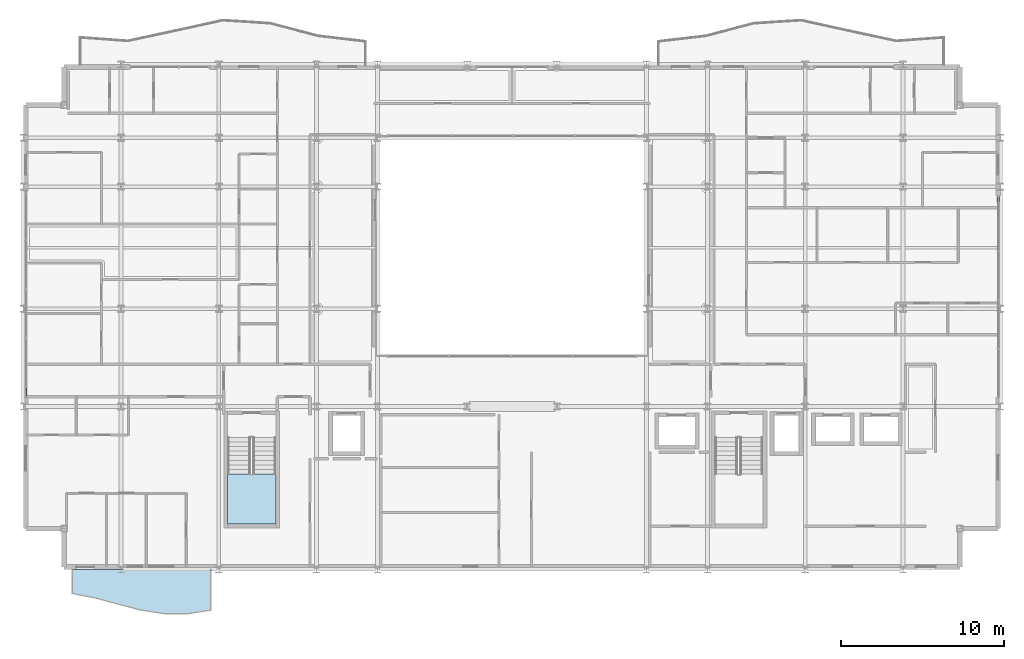
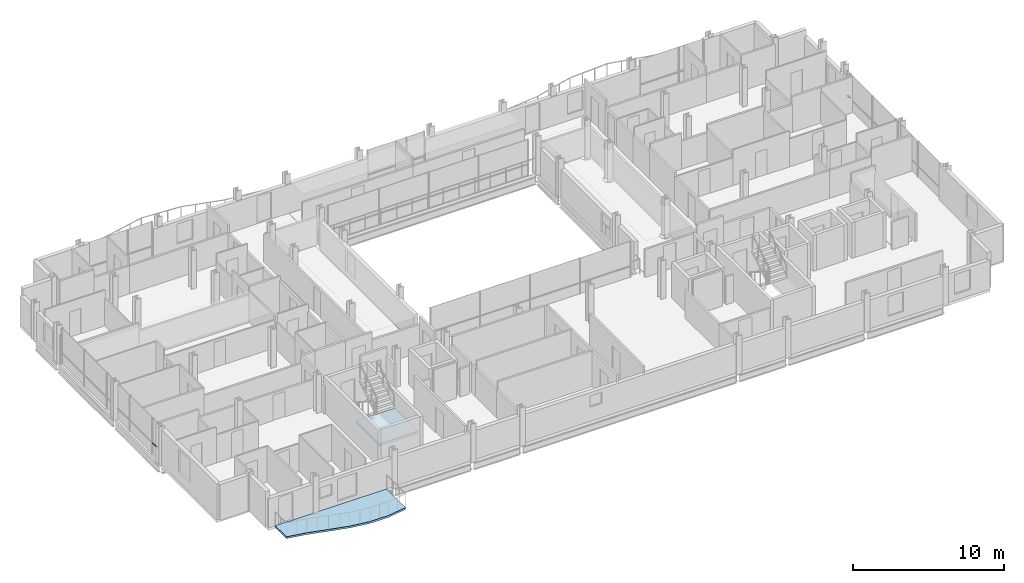
# One storey, part 27 of 41: 2 members, 2 slabs, 3 elements without a shape of their own.
"""IFC4 building model written with IfcOpenShell, lengths in metres."""

from ifc_helpers import new_model, si_unit, direction, frame, origin, origin_2d, place, context, subcontext, project, spatial, polyline, hollow_rectangle, outline, extrude, material, layer, layer_set, material_profile, profile_set, type_object, element, aggregate, save


model = new_model("IFC4")

# Units and contexts
model_context = context("Model", 3, precision=1e-05, world=origin(), true_north=direction((0.0, 1.0)))
body_context = subcontext(model_context, "Body", "Model", "MODEL_VIEW")
ifc_project = project(units=[si_unit("LENGTHUNIT", "METRE"), si_unit("AREAUNIT", "SQUARE_METRE"), si_unit("VOLUMEUNIT", "CUBIC_METRE"), si_unit("PLANEANGLEUNIT", "RADIAN"), si_unit("MASSUNIT", "GRAM", prefix="KILO")], contexts=[model_context])

# Site, building, storey
site_placement = place(None, origin())
site = spatial("IfcSite", under=ifc_project, at=site_placement, CompositionType="ELEMENT")
building_placement = place(site_placement, origin())
building = spatial("IfcBuilding", under=site, at=building_placement, Name="Brevholm Reach", CompositionType="ELEMENT")
storey_placement = place(building_placement, frame((0.0, 0.0, 163.5)))
storey = spatial("IfcBuildingStorey", under=building, at=storey_placement, Name="L49", CompositionType="ELEMENT", Elevation=163.5)

# Curtain wall, member
ifc_material_1 = material(Name="Dark Anodised Aluminium 6063-T6 and Solar-Control Glass", Category="aluminium")
ifc_layer_1 = layer(ifc_material_1, 0.14990234375)
ifc_layer_set_1 = layer_set([ifc_layer_1], Name="Dark Anodised Aluminium 6063-T6 and Solar-Control Glass")
curtain_wall_type = type_object("IfcCurtainWallType", Name="CW-01", PredefinedType="NOTDEFINED", material=ifc_layer_set_1)
curtain_wall_1_placement = place(storey_placement, origin())
curtain_wall_1 = element("IfcCurtainWall", 1, at=curtain_wall_1_placement, inside=storey, type_object=curtain_wall_type, Name="L49 Curtain Wall CW-01", PredefinedType="NOTDEFINED")
ifc_material_2 = material(Name="Dark Anodised Aluminium 6063-T6", Category="aluminium")
ifc_material_profile = material_profile(ifc_material_2, hollow_rectangle(XDim=0.06494140625, YDim=0.14990234375, WallThickness=0.0048828125, InnerFilletRadius=0.0048828125, OuterFilletRadius=0.010009765625, at=origin_2d()), Name="RHS 150x65x5")
ifc_profile_set = profile_set([ifc_material_profile], Name="Dark Anodised Aluminium 6063-T6")
member_type = type_object("IfcMemberType", Name="CWT-150", PredefinedType="NOTDEFINED", material=ifc_profile_set)
member_1_placement = place(storey_placement, frame((0.14990234375, 11.1875, 0.89990234375), z_axis=(0.0, -1.0, 0.0), x_axis=(0.0, 0.0, 1.0)))
member_1 = element("IfcMember", 2, at=member_1_placement, type_object=member_type, Name="CT-150 Transom 5.1", ObjectType="TRANSOM", PredefinedType="USERDEFINED", context=body_context, shape_type="SweptSolid", body=[
    extrude(hollow_rectangle(XDim=0.06494140625, YDim=0.14990234375, WallThickness=0.0048828125, InnerFilletRadius=0.0048828125, OuterFilletRadius=0.010009765625, at=origin_2d()), origin(), (0.0, 0.0, 1.0), 0.572509765625),
])
aggregate(curtain_wall_1, [member_1])

curtain_wall_2_placement = place(storey_placement, origin())
curtain_wall_2 = element("IfcCurtainWall", 3, at=curtain_wall_2_placement, inside=storey, type_object=curtain_wall_type, Name="L49 Curtain Wall CW-01", PredefinedType="NOTDEFINED")
member_2_placement = place(storey_placement, frame((59.85009765625, 22.58251953125, 0.89990234375), z_axis=(0.0, 1.0, 0.0), x_axis=(0.0, 0.0, 1.0)))
member_2 = element("IfcMember", 4, at=member_2_placement, type_object=member_type, Name="CT-150 Transom 5.1", ObjectType="TRANSOM", PredefinedType="USERDEFINED", context=body_context, shape_type="SweptSolid", body=[
    extrude(hollow_rectangle(XDim=0.06494140625, YDim=0.14990234375, WallThickness=0.0048828125, InnerFilletRadius=0.0048828125, OuterFilletRadius=0.010009765625, at=origin_2d()), origin(), (0.0, 0.0, 1.0), 0.302490234375),
])
aggregate(curtain_wall_2, [member_2])

# Slab
ifc_material_3 = material(Name="Precast Concrete C45/55", Category="concrete")
ifc_layer_2 = layer(ifc_material_3, 0.14990234375)
ifc_layer_set_2 = layer_set([ifc_layer_2], Name="Precast Concrete C45/55")
slab_type_1 = type_object("IfcSlabType", Name="SLB-BAL-150", PredefinedType="FLOOR", material=ifc_layer_set_2)
slab_1_placement = place(storey_placement, frame((0.0, 0.0, -0.14990234375)))
element("IfcSlab", 5, at=slab_1_placement, inside=storey, type_object=slab_type_1, Name="L49 Rippling External Balcony SW", PredefinedType="FLOOR", context=body_context, shape_type="SweptSolid", body=[
    extrude(outline(polyline([(3.0, -1.4736328125), (4.416748046875, -1.747802734375), (5.833251953125, -2.1337890625), (7.25, -2.499755859375), (8.666748046875, -2.720458984375), (10.083251953125, -2.720458984375), (11.5, -2.499755859375), (11.5, 0.0), (3.0, 0.0), (3.0, -1.4736328125)])), origin(), (0.0, 0.0, 1.0), 0.14990234375),
])

# Stair, slab
ifc_material_4 = material(Name="Precast Concrete C40/50", Category="concrete")
stair_type = type_object("IfcStairType", Name="STR-ESC-1400", PredefinedType="DOUBLE_RETURN_STAIR", material=ifc_material_4)
stair_placement = place(storey_placement, origin())
stair = element("IfcStair", 6, at=stair_placement, inside=storey, type_object=stair_type, Name="L49 ST-1", PredefinedType="DOUBLE_RETURN_STAIR")
ifc_material_5 = material(Name="Concrete C40/50", Category="concrete")
ifc_layer_3 = layer(ifc_material_5, 0.199951171875)
ifc_layer_set_3 = layer_set([ifc_layer_3], Name="Concrete C40/50")
slab_type_2 = type_object("IfcSlabType", Name="SLB-LND-200", PredefinedType="LANDING", material=ifc_layer_set_3)
slab_2_placement = place(storey_placement, frame((0.0, 0.0, 1.35009765625)))
slab_2 = element("IfcSlab", 7, at=slab_2_placement, type_object=slab_type_2, Name="ST-1 landing 1", PredefinedType="LANDING", context=body_context, shape_type="SweptSolid", body=[
    extrude(outline(polyline([(12.550048828125, 5.860107421875), (12.550048828125, 2.780029296875), (15.5, 2.780029296875), (15.5, 5.860107421875), (12.550048828125, 5.860107421875)])), origin(), (0.0, 0.0, 1.0), 0.199951171875),
])
aggregate(stair, [slab_2])

save(model, "model.ifc")
